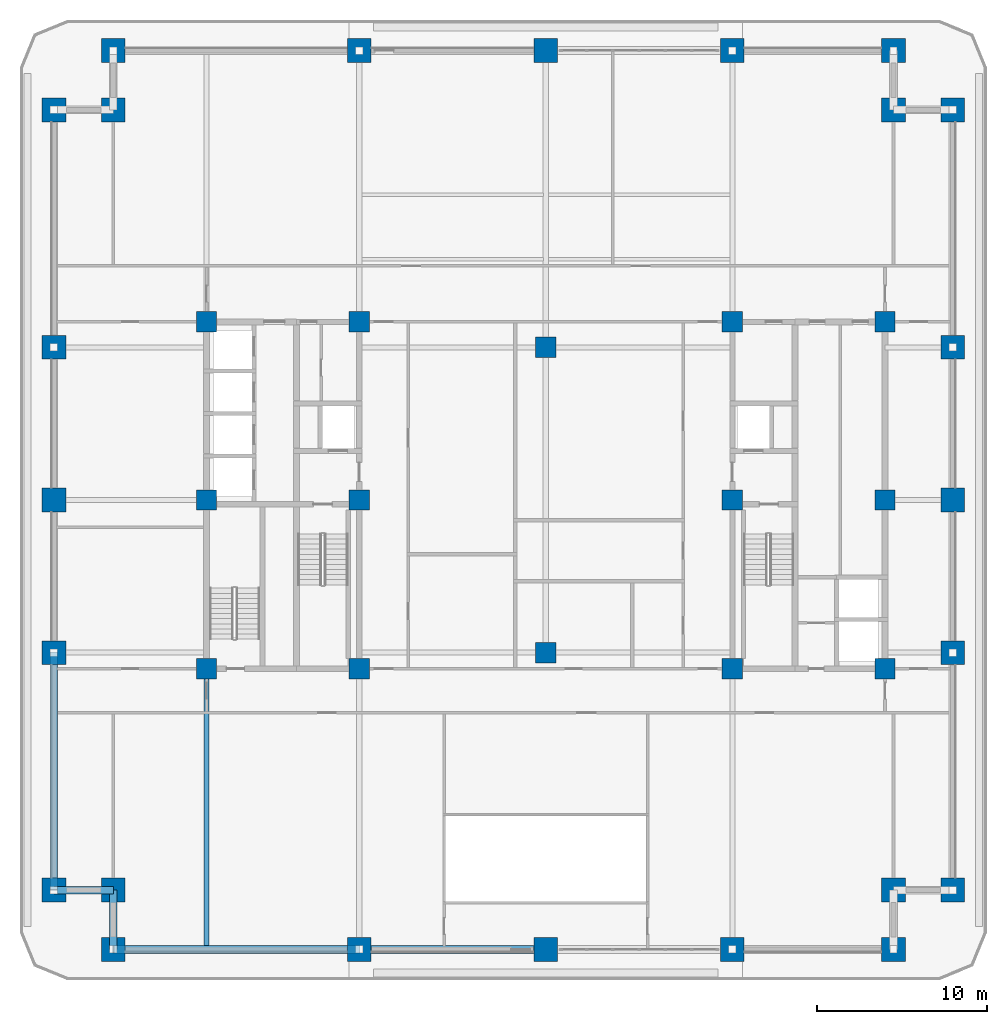
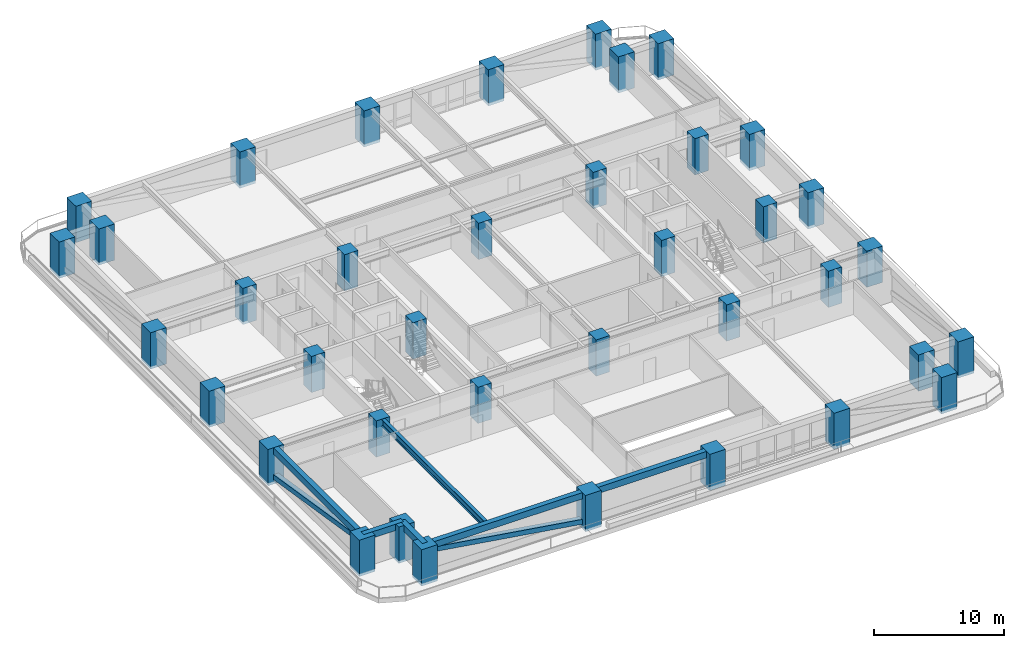
# One storey, part 1 of 18: 38 columns, 6 beams, 2 members.
"""IFC4 building model written with IfcOpenShell, lengths in metres."""

from ifc_helpers import new_model, si_unit, direction, frame, origin, origin_2d, place, context, subcontext, project, spatial, rectangle, hollow_rectangle, i_section, extrude, material, material_profile, profile_set, type_object, element, save


model = new_model("IFC4")

# Units and contexts
model_context = context("Model", 3, precision=1e-05, world=origin(), true_north=direction((0.0, 1.0)))
body_context = subcontext(model_context, "Body", "Model", "MODEL_VIEW")
ifc_project = project(units=[si_unit("LENGTHUNIT", "METRE"), si_unit("AREAUNIT", "SQUARE_METRE"), si_unit("VOLUMEUNIT", "CUBIC_METRE"), si_unit("PLANEANGLEUNIT", "RADIAN"), si_unit("MASSUNIT", "GRAM", prefix="KILO")], contexts=[model_context])

# Site, building, storey
site_placement = place(None, origin())
site = spatial("IfcSite", under=ifc_project, at=site_placement, CompositionType="ELEMENT")
building_placement = place(site_placement, origin())
building = spatial("IfcBuilding", under=site, at=building_placement, Name="Zulmaris Gate Convention Tower", CompositionType="ELEMENT")
storey_placement = place(building_placement, frame((0.0, 0.0, 78.60986328125)))
storey = spatial("IfcBuildingStorey", under=building, at=storey_placement, Name="L19", CompositionType="ELEMENT", Elevation=78.60986328125)

# Columns
ifc_material_1 = material(Name="Concrete C70/85", Category="concrete")
ifc_material_profile_1 = material_profile(ifc_material_1, rectangle(XDim=1.199951171875, YDim=1.199951171875, at=origin_2d()), Name="RC COL 1200x1200")
ifc_profile_set_1 = profile_set([ifc_material_profile_1], Name="Concrete C70/85")
column_type_1 = type_object("IfcColumnType", Name="COL-RC1200", PredefinedType="COLUMN", material=ifc_profile_set_1)
for number, where, z_axis, x_axis, name in (
    (1, (-20.0, -9.949951171875, -0.25), (0.0, 0.0, 1.0), (1.0, 0.0, 0.0), "L19 Column IN--20.00_-9.95"),
    (2, (-20.0, 10.5, -0.25), (0.0, 0.0, 1.0), (1.0, 0.0, 0.0), "L19 Column IN--20.00_+10.50"),
    (3, (-11.0, -9.949951171875, -0.25), (0.0, 0.0, 1.0), (1.0, 0.0, 0.0), "L19 Column IN--11.00_-9.95"),
    (4, (-11.0, 0.0, -0.25), (0.0, 0.0, 1.0), (1.0, 0.0, 0.0), "L19 Column IN--11.00_+0.00"),
    (5, (-11.0, 10.5, -0.25), (0.0, 0.0, 1.0), (1.0, 0.0, 0.0), "L19 Column IN--11.00_+10.50"),
    (6, (11.0, -9.949951171875, -0.25), (0.0, 0.0, 1.0), (1.0, 0.0, 0.0), "L19 Column IN-+11.00_-9.95"),
    (7, (11.0, 0.0, -0.25), (0.0, 0.0, 1.0), (1.0, 0.0, 0.0), "L19 Column IN-+11.00_+0.00"),
    (8, (11.0, 10.5, -0.25), (0.0, 0.0, 1.0), (1.0, 0.0, 0.0), "L19 Column IN-+11.00_+10.50"),
    (9, (20.0, -9.949951171875, -0.25), (0.0, 0.0, 1.0), (1.0, 0.0, 0.0), "L19 Column IN-+20.00_-9.95"),
    (10, (20.0, 10.5, -0.25), (0.0, 0.0, 1.0), (1.0, 0.0, 0.0), "L19 Column IN-+20.00_+10.50"),
    (11, (0.0, -9.0, -0.25), (0.0, 0.0, 1.0), (1.0, 0.0, 0.0), "L19 Column IN-+0.00_-9.00"),
    (12, (0.0, 9.0, -0.25), (0.0, 0.0, 1.0), (1.0, 0.0, 0.0), "L19 Column IN-+0.00_+9.00"),
    (13, (-20.0, 0.0, -0.25), (0.0, 0.0, 1.0), (1.0, 0.0, 0.0), "L19 Column IN--20.00_+0.00"),
    (14, (20.0, 0.0, -0.25), (0.0, 0.0, 1.0), (1.0, 0.0, 0.0), "L19 Column IN-+20.00_+0.00"),
):
    element("IfcColumn", number, at=place(storey_placement, frame(where, z_axis=z_axis, x_axis=x_axis)), inside=storey, type_object=column_type_1, Name=name, PredefinedType="COLUMN", context=body_context, shape_type="SweptSolid", body=[
        extrude(rectangle(XDim=1.199951171875, YDim=1.199951171875, at=origin_2d()), origin(), (0.0, 0.0, 1.0), 3.39501953125),
    ])
ifc_material_2 = material(Name="Concrete C80/95", Category="concrete")
ifc_material_profile_2 = material_profile(ifc_material_2, rectangle(XDim=1.39990234375, YDim=1.39990234375, at=origin_2d()), Name="RC COL 1400x1400")
ifc_profile_set_2 = profile_set([ifc_material_profile_2], Name="Concrete C80/95")
column_type_2 = type_object("IfcColumnType", Name="COL-RC1400", PredefinedType="COLUMN", material=ifc_profile_set_2)
for number, where, z_axis, x_axis, name in (
    (15, (-25.5, -26.5, -0.25), (0.0, 0.0, 1.0), (1.0, 0.0, 0.0), "L19 Column PT--25.50_-26.50"),
    (16, (-11.0, -26.5, -0.25), (0.0, 0.0, 1.0), (1.0, 0.0, 0.0), "L19 Column PT--11.00_-26.50"),
    (17, (0.0, -26.5, -0.25), (0.0, 0.0, 1.0), (1.0, 0.0, 0.0), "L19 Column PT-+0.00_-26.50"),
    (18, (11.0, -26.5, -0.25), (0.0, 0.0, 1.0), (1.0, 0.0, 0.0), "L19 Column PT-+11.00_-26.50"),
    (19, (20.5, -26.5, -0.25), (0.0, 0.0, 1.0), (1.0, 0.0, 0.0), "L19 Column PT-+20.50_-26.50"),
    (20, (-25.5, 26.5, -0.25), (0.0, 0.0, 1.0), (1.0, 0.0, 0.0), "L19 Column PT--25.50_+26.50"),
    (21, (-11.0, 26.5, -0.25), (0.0, 0.0, 1.0), (1.0, 0.0, 0.0), "L19 Column PT--11.00_+26.50"),
    (22, (0.0, 26.5, -0.25), (0.0, 0.0, 1.0), (1.0, 0.0, 0.0), "L19 Column PT-+0.00_+26.50"),
    (23, (11.0, 26.5, -0.25), (0.0, 0.0, 1.0), (1.0, 0.0, 0.0), "L19 Column PT-+11.00_+26.50"),
    (24, (20.5, 26.5, -0.25), (0.0, 0.0, 1.0), (1.0, 0.0, 0.0), "L19 Column PT-+20.50_+26.50"),
    (25, (-29.0, -23.0, -0.25), (0.0, 0.0, 1.0), (1.0, 0.0, 0.0), "L19 Column PT--29.00_-23.00"),
    (26, (-29.0, -9.0, -0.25), (0.0, 0.0, 1.0), (1.0, 0.0, 0.0), "L19 Column PT--29.00_-9.00"),
    (27, (-29.0, 0.0, -0.25), (0.0, 0.0, 1.0), (1.0, 0.0, 0.0), "L19 Column PT--29.00_+0.00"),
    (28, (-29.0, 9.0, -0.25), (0.0, 0.0, 1.0), (1.0, 0.0, 0.0), "L19 Column PT--29.00_+9.00"),
    (29, (-29.0, 23.0, -0.25), (0.0, 0.0, 1.0), (1.0, 0.0, 0.0), "L19 Column PT--29.00_+23.00"),
    (30, (24.0, -23.0, -0.25), (0.0, 0.0, 1.0), (1.0, 0.0, 0.0), "L19 Column PT-+24.00_-23.00"),
    (31, (24.0, -9.0, -0.25), (0.0, 0.0, 1.0), (1.0, 0.0, 0.0), "L19 Column PT-+24.00_-9.00"),
    (32, (24.0, 0.0, -0.25), (0.0, 0.0, 1.0), (1.0, 0.0, 0.0), "L19 Column PT-+24.00_+0.00"),
    (33, (24.0, 9.0, -0.25), (0.0, 0.0, 1.0), (1.0, 0.0, 0.0), "L19 Column PT-+24.00_+9.00"),
    (34, (24.0, 23.0, -0.25), (0.0, 0.0, 1.0), (1.0, 0.0, 0.0), "L19 Column PT-+24.00_+23.00"),
    (35, (-25.5, -23.0, -0.25), (0.0, 0.0, 1.0), (1.0, 0.0, 0.0), "L19 Column PT--25.50_-23.00"),
    (36, (20.5, -23.0, -0.25), (0.0, 0.0, 1.0), (1.0, 0.0, 0.0), "L19 Column PT-+20.50_-23.00"),
    (37, (20.5, 23.0, -0.25), (0.0, 0.0, 1.0), (1.0, 0.0, 0.0), "L19 Column PT-+20.50_+23.00"),
    (38, (-25.5, 23.0, -0.25), (0.0, 0.0, 1.0), (1.0, 0.0, 0.0), "L19 Column PT--25.50_+23.00"),
):
    element("IfcColumn", number, at=place(storey_placement, frame(where, z_axis=z_axis, x_axis=x_axis)), inside=storey, type_object=column_type_2, Name=name, PredefinedType="COLUMN", context=body_context, shape_type="SweptSolid", body=[
        extrude(rectangle(XDim=1.39990234375, YDim=1.39990234375, at=origin_2d()), origin(), (0.0, 0.0, 1.0), 3.39501953125),
    ])

# Beams
ifc_material_3 = material(Name="Steel S355", Category="steel")
ifc_material_profile_3 = material_profile(ifc_material_3, i_section(OverallWidth=0.300048828125, OverallDepth=0.64990234375, WebThickness=0.01611328125, FlangeThickness=0.031005859375, FilletRadius=0.027099609375, at=origin_2d()), Name="HEB 650")
ifc_profile_set_3 = profile_set([ifc_material_profile_3], Name="Steel S355")
beam_type_1 = type_object("IfcBeamType", Name="BM-HEB650", PredefinedType="BEAM", material=ifc_profile_set_3)
beam_1_placement = place(storey_placement, frame((-20.0, -26.5, 2.818115234375), z_axis=(0.0, 1.0, 0.0), x_axis=(-1.0, 0.0, 0.0)))
element("IfcBeam", 39, at=beam_1_placement, inside=storey, type_object=beam_type_1, Name="L19 Beam BM-L19-G12", PredefinedType="BEAM", context=body_context, shape_type="SweptSolid", body=[
    extrude(i_section(OverallWidth=0.300048828125, OverallDepth=0.64990234375, WebThickness=0.01611328125, FlangeThickness=0.031005859375, FilletRadius=0.027099609375, at=origin_2d()), origin(), (0.0, 0.0, 1.0), 16.550048828125),
])
ifc_material_4 = material(Name="Precast concrete C50/60", Category="concrete")
ifc_material_profile_4 = material_profile(ifc_material_4, rectangle(XDim=0.449951171875, YDim=0.60009765625, at=origin_2d()), Name="RC SPANDREL 450x600")
ifc_profile_set_4 = profile_set([ifc_material_profile_4], Name="Precast concrete C50/60")
beam_type_2 = type_object("IfcBeamType", Name="BM-SP450x600", PredefinedType="SPANDREL", material=ifc_profile_set_4)
beam_2_placement = place(storey_placement, frame((-25.5, -26.5, 2.844970703125), z_axis=(1.0, 0.0, 0.0), x_axis=(0.0, 1.0, 0.0)))
element("IfcBeam", 40, at=beam_2_placement, inside=storey, type_object=beam_type_2, Name="L19 Spandrel SP-L19-01", PredefinedType="SPANDREL", context=body_context, shape_type="SweptSolid", body=[
    extrude(rectangle(XDim=0.449951171875, YDim=0.60009765625, at=origin_2d()), origin(), (0.0, 0.0, 1.0), 14.5),
])
beam_3_placement = place(storey_placement, frame((-11.0, -26.5, 2.844970703125), z_axis=(1.0, 0.0, 0.0), x_axis=(0.0, 1.0, 0.0)))
element("IfcBeam", 41, at=beam_3_placement, inside=storey, type_object=beam_type_2, Name="L19 Spandrel SP-L19-02", PredefinedType="SPANDREL", context=body_context, shape_type="SweptSolid", body=[
    extrude(rectangle(XDim=0.449951171875, YDim=0.60009765625, at=origin_2d()), origin(), (0.0, 0.0, 1.0), 11.0),
])
beam_4_placement = place(storey_placement, frame((-29.0, -9.0, 2.844970703125), z_axis=(0.0, -1.0, 0.0), x_axis=(1.0, 0.0, 0.0)))
element("IfcBeam", 42, at=beam_4_placement, inside=storey, type_object=beam_type_2, Name="L19 Spandrel SP-L19-22", PredefinedType="SPANDREL", context=body_context, shape_type="SweptSolid", body=[
    extrude(rectangle(XDim=0.449951171875, YDim=0.60009765625, at=origin_2d()), origin(), (0.0, 0.0, 1.0), 14.0),
])
for number, where, z_axis, x_axis, name in (
    (43, (-29.0, -23.0, 2.844970703125), (1.0, 0.0, 0.0), (0.0, 1.0, 0.0), "L19 Spandrel SP-L19-23"),
    (44, (-25.5, -23.0, 2.844970703125), (0.0, -1.0, 0.0), (1.0, 0.0, 0.0), "L19 Spandrel SP-L19-24"),
):
    element("IfcBeam", number, at=place(storey_placement, frame(where, z_axis=z_axis, x_axis=x_axis)), inside=storey, type_object=beam_type_2, Name=name, PredefinedType="SPANDREL", context=body_context, shape_type="SweptSolid", body=[
        extrude(rectangle(XDim=0.449951171875, YDim=0.60009765625, at=origin_2d()), origin(), (0.0, 0.0, 1.0), 3.5),
    ])

# Members
ifc_material_5 = material(Name="Steel S460", Category="steel")
ifc_material_profile_5 = material_profile(ifc_material_5, hollow_rectangle(XDim=0.449951171875, YDim=0.449951171875, WallThickness=0.02490234375, at=origin_2d()), Name="SHS 450x450x25")
ifc_profile_set_5 = profile_set([ifc_material_profile_5], Name="Steel S460")
member_type = type_object("IfcMemberType", Name="BR-SHS450", PredefinedType="BRACE", material=ifc_profile_set_5)
member_1_placement = place(storey_placement, frame((-29.0, -9.0, 0.300048828125), z_axis=(0.0, -0.987604102755, 0.156965398167), x_axis=(1.0, 0.0, 0.0)))
element("IfcMember", 45, at=member_1_placement, inside=storey, type_object=member_type, Name="L19 Perimeter Tube Diagonal SW-W", PredefinedType="BRACE", context=body_context, shape_type="SweptSolid", body=[
    extrude(hollow_rectangle(XDim=0.449951171875, YDim=0.449951171875, WallThickness=0.02490234375, at=origin_2d()), origin(), (0.0, 0.0, 1.0), 14.17578125),
])
member_2_placement = place(storey_placement, frame((-11.0, -26.5, 0.300048828125), z_axis=(-0.988429729846, 0.0, 0.151679494845), x_axis=(0.0, -1.0, 0.0)))
element("IfcMember", 46, at=member_2_placement, inside=storey, type_object=member_type, Name="L19 Perimeter Tube Diagonal SW-S", PredefinedType="BRACE", context=body_context, shape_type="SweptSolid", body=[
    extrude(hollow_rectangle(XDim=0.449951171875, YDim=0.449951171875, WallThickness=0.02490234375, at=origin_2d()), origin(), (0.0, 0.0, 1.0), 14.669677734375),
])

save(model, "model.ifc")
